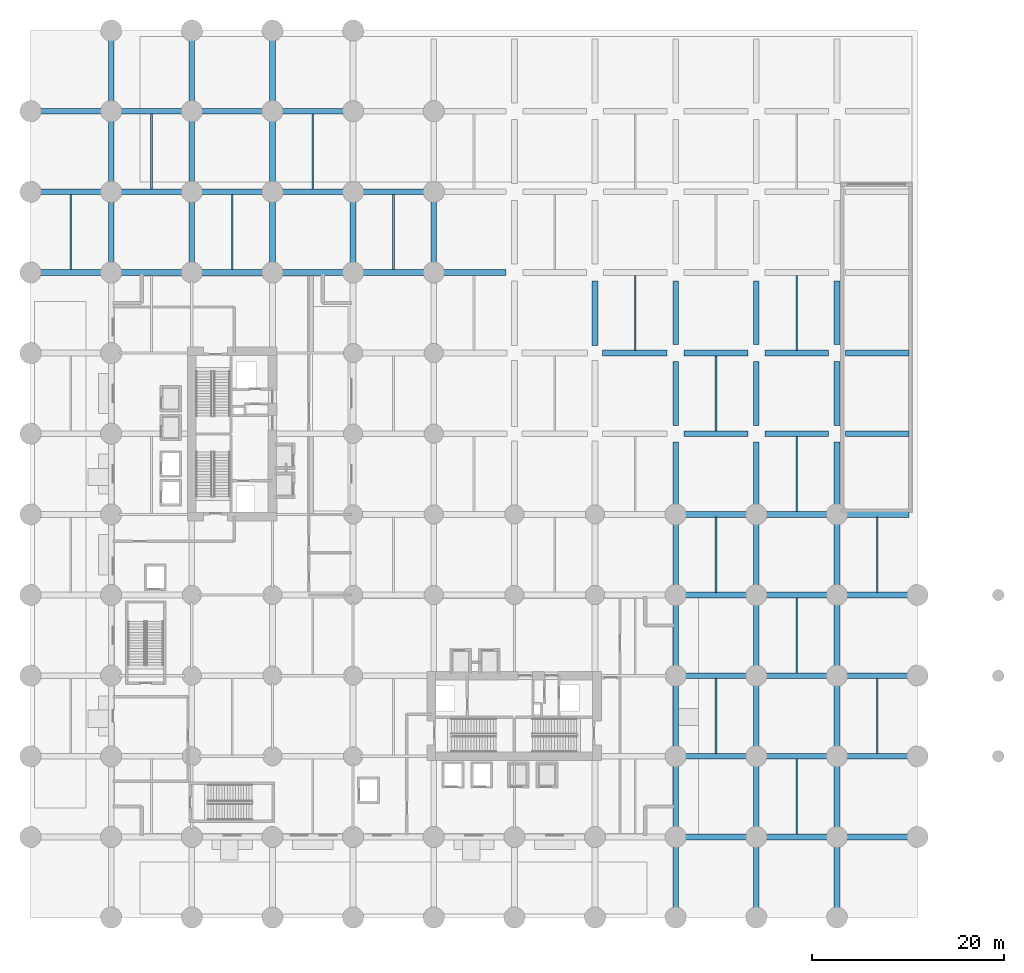
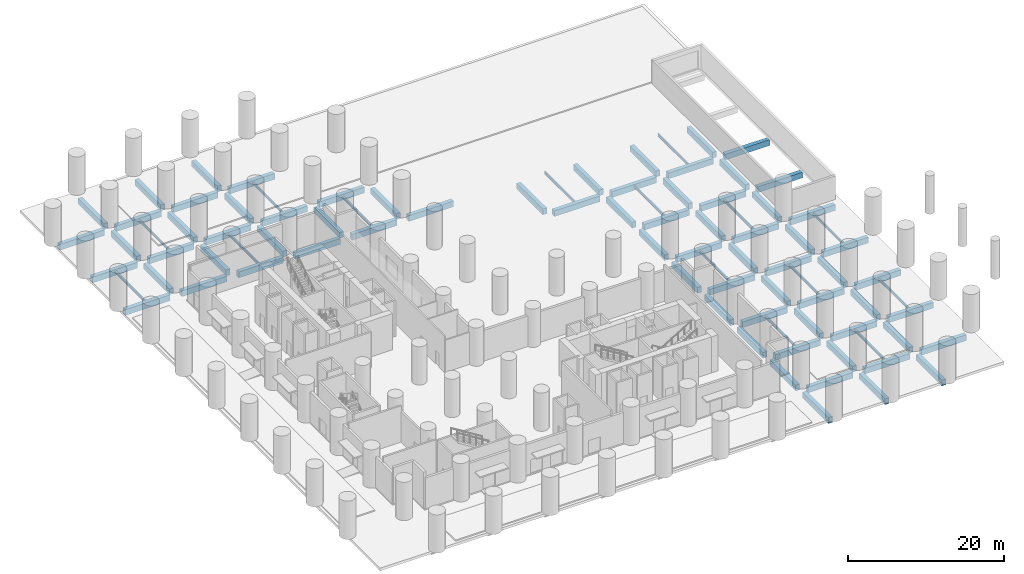
# One storey, part 3 of 13: 88 beams.
"""IFC4 building model written with IfcOpenShell, lengths in metres."""

from ifc_helpers import new_model, si_unit, direction, frame, origin, origin_2d, place, context, subcontext, project, spatial, rectangle, i_section, extrude, material, material_profile, profile_set, type_object, element, save


model = new_model("IFC4")

# Units and contexts
model_context = context("Model", 3, precision=1e-05, world=origin(), true_north=direction((0.0, 1.0)))
body_context = subcontext(model_context, "Body", "Model", "MODEL_VIEW")
ifc_project = project(units=[si_unit("LENGTHUNIT", "METRE"), si_unit("AREAUNIT", "SQUARE_METRE"), si_unit("VOLUMEUNIT", "CUBIC_METRE"), si_unit("PLANEANGLEUNIT", "RADIAN"), si_unit("MASSUNIT", "GRAM", prefix="KILO")], contexts=[model_context])

# Site, building, storey
site_placement = place(None, origin())
site = spatial("IfcSite", under=ifc_project, at=site_placement, CompositionType="ELEMENT")
building_placement = place(site_placement, origin())
building = spatial("IfcBuilding", under=site, at=building_placement, Name="Koriwani Terraces Tower", CompositionType="ELEMENT")
storey_placement = place(building_placement, origin())
storey = spatial("IfcBuildingStorey", under=building, at=storey_placement, Name="L00", CompositionType="ELEMENT", Elevation=0.0)

# Beams
ifc_material_1 = material(Name="Concrete C60/75", Category="concrete")
ifc_material_profile_1 = material_profile(ifc_material_1, rectangle(XDim=0.60009765625, YDim=0.89990234375, at=origin_2d()), Name="Concrete C60/75", Category="LoadBearing")
ifc_profile_set_1 = profile_set([ifc_material_profile_1], Name="Concrete C60/75")
beam_type_1 = type_object("IfcBeamType", Name="BEAM_RC_SPANDREL_600X900", PredefinedType="SPANDREL", material=ifc_profile_set_1)
beam_1_placement = place(storey_placement, frame((68.080078125, 8.39990234375, -1.030029296875), z_axis=(1.0, 0.0, 0.0), x_axis=(0.0, 1.0, 0.0)))
element("IfcBeam", 1, at=beam_1_placement, inside=storey, type_object=beam_type_1, Name="L00 Spandrel Beam B (67.2-75.6m)", PredefinedType="SPANDREL", context=body_context, shape_type="SweptSolid", body=[
    extrude(rectangle(XDim=0.60009765625, YDim=0.89990234375, at=origin_2d()), origin(), (0.0, 0.0, 1.0), 6.639892578125),
])
for number, where, z_axis, x_axis, name in (
    (2, (76.47998046875, 8.39990234375, -1.030029296875), (1.0, 0.0, 0.0), (0.0, 1.0, 0.0), "L00 Spandrel Beam B (75.6-84.0m)"),
    (3, (84.8798828125, 8.39990234375, -1.030029296875), (1.0, 0.0, 0.0), (0.0, 1.0, 0.0), "L00 Spandrel Beam B (84.0-92.4m)"),
):
    element("IfcBeam", number, at=place(storey_placement, frame(where, z_axis=z_axis, x_axis=x_axis)), inside=storey, type_object=beam_type_1, Name=name, PredefinedType="SPANDREL", context=body_context, shape_type="SweptSolid", body=[
        extrude(rectangle(XDim=0.60009765625, YDim=0.89990234375, at=origin_2d()), origin(), (0.0, 0.0, 1.0), 6.64013671875),
    ])
beam_2_placement = place(storey_placement, frame((68.080078125, 16.800048828125, -1.030029296875), z_axis=(1.0, 0.0, 0.0), x_axis=(0.0, 1.0, 0.0)))
element("IfcBeam", 4, at=beam_2_placement, inside=storey, type_object=beam_type_1, Name="L00 Spandrel Beam C (67.2-75.6m)", PredefinedType="SPANDREL", context=body_context, shape_type="SweptSolid", body=[
    extrude(rectangle(XDim=0.60009765625, YDim=0.89990234375, at=origin_2d()), origin(), (0.0, 0.0, 1.0), 6.639892578125),
])
for number, where, z_axis, x_axis, name in (
    (5, (76.47998046875, 16.800048828125, -1.030029296875), (1.0, 0.0, 0.0), (0.0, 1.0, 0.0), "L00 Spandrel Beam C (75.6-84.0m)"),
    (6, (84.8798828125, 16.800048828125, -1.030029296875), (1.0, 0.0, 0.0), (0.0, 1.0, 0.0), "L00 Spandrel Beam C (84.0-92.4m)"),
):
    element("IfcBeam", number, at=place(storey_placement, frame(where, z_axis=z_axis, x_axis=x_axis)), inside=storey, type_object=beam_type_1, Name=name, PredefinedType="SPANDREL", context=body_context, shape_type="SweptSolid", body=[
        extrude(rectangle(XDim=0.60009765625, YDim=0.89990234375, at=origin_2d()), origin(), (0.0, 0.0, 1.0), 6.64013671875),
    ])
beam_3_placement = place(storey_placement, frame((68.080078125, 25.199951171875, -1.030029296875), z_axis=(1.0, 0.0, 0.0), x_axis=(0.0, 1.0, 0.0)))
element("IfcBeam", 7, at=beam_3_placement, inside=storey, type_object=beam_type_1, Name="L00 Spandrel Beam D (67.2-75.6m)", PredefinedType="SPANDREL", context=body_context, shape_type="SweptSolid", body=[
    extrude(rectangle(XDim=0.60009765625, YDim=0.89990234375, at=origin_2d()), origin(), (0.0, 0.0, 1.0), 6.639892578125),
])
for number, where, z_axis, x_axis, name in (
    (8, (76.47998046875, 25.199951171875, -1.030029296875), (1.0, 0.0, 0.0), (0.0, 1.0, 0.0), "L00 Spandrel Beam D (75.6-84.0m)"),
    (9, (84.8798828125, 25.199951171875, -1.030029296875), (1.0, 0.0, 0.0), (0.0, 1.0, 0.0), "L00 Spandrel Beam D (84.0-92.4m)"),
):
    element("IfcBeam", number, at=place(storey_placement, frame(where, z_axis=z_axis, x_axis=x_axis)), inside=storey, type_object=beam_type_1, Name=name, PredefinedType="SPANDREL", context=body_context, shape_type="SweptSolid", body=[
        extrude(rectangle(XDim=0.60009765625, YDim=0.89990234375, at=origin_2d()), origin(), (0.0, 0.0, 1.0), 6.64013671875),
    ])
beam_4_placement = place(storey_placement, frame((68.080078125, 33.60009765625, -1.030029296875), z_axis=(1.0, 0.0, 0.0), x_axis=(0.0, 1.0, 0.0)))
element("IfcBeam", 10, at=beam_4_placement, inside=storey, type_object=beam_type_1, Name="L00 Spandrel Beam E (67.2-75.6m)", PredefinedType="SPANDREL", context=body_context, shape_type="SweptSolid", body=[
    extrude(rectangle(XDim=0.60009765625, YDim=0.89990234375, at=origin_2d()), origin(), (0.0, 0.0, 1.0), 6.639892578125),
])
for number, where, z_axis, x_axis, name in (
    (11, (76.47998046875, 33.60009765625, -1.030029296875), (1.0, 0.0, 0.0), (0.0, 1.0, 0.0), "L00 Spandrel Beam E (75.6-84.0m)"),
    (12, (84.8798828125, 33.60009765625, -1.030029296875), (1.0, 0.0, 0.0), (0.0, 1.0, 0.0), "L00 Spandrel Beam E (84.0-92.4m)"),
):
    element("IfcBeam", number, at=place(storey_placement, frame(where, z_axis=z_axis, x_axis=x_axis)), inside=storey, type_object=beam_type_1, Name=name, PredefinedType="SPANDREL", context=body_context, shape_type="SweptSolid", body=[
        extrude(rectangle(XDim=0.60009765625, YDim=0.89990234375, at=origin_2d()), origin(), (0.0, 0.0, 1.0), 6.64013671875),
    ])
beam_5_placement = place(storey_placement, frame((68.080078125, 42.0, -1.030029296875), z_axis=(1.0, 0.0, 0.0), x_axis=(0.0, 1.0, 0.0)))
element("IfcBeam", 13, at=beam_5_placement, inside=storey, type_object=beam_type_1, Name="L00 Spandrel Beam F (67.2-75.6m)", PredefinedType="SPANDREL", context=body_context, shape_type="SweptSolid", body=[
    extrude(rectangle(XDim=0.60009765625, YDim=0.89990234375, at=origin_2d()), origin(), (0.0, 0.0, 1.0), 6.639892578125),
])
for number, where, z_axis, x_axis, name in (
    (14, (76.47998046875, 42.0, -1.030029296875), (1.0, 0.0, 0.0), (0.0, 1.0, 0.0), "L00 Spandrel Beam F (75.6-84.0m)"),
    (15, (84.8798828125, 42.0, -1.030029296875), (1.0, 0.0, 0.0), (0.0, 1.0, 0.0), "L00 Spandrel Beam F (84.0-92.4m)"),
):
    element("IfcBeam", number, at=place(storey_placement, frame(where, z_axis=z_axis, x_axis=x_axis)), inside=storey, type_object=beam_type_1, Name=name, PredefinedType="SPANDREL", context=body_context, shape_type="SweptSolid", body=[
        extrude(rectangle(XDim=0.60009765625, YDim=0.89990234375, at=origin_2d()), origin(), (0.0, 0.0, 1.0), 6.64013671875),
    ])
beam_6_placement = place(storey_placement, frame((68.080078125, 50.39990234375, -1.030029296875), z_axis=(1.0, 0.0, 0.0), x_axis=(0.0, 1.0, 0.0)))
element("IfcBeam", 16, at=beam_6_placement, inside=storey, type_object=beam_type_1, Name="L00 Spandrel Beam G (67.2-75.6m)", PredefinedType="SPANDREL", context=body_context, shape_type="SweptSolid", body=[
    extrude(rectangle(XDim=0.60009765625, YDim=0.89990234375, at=origin_2d()), origin(), (0.0, 0.0, 1.0), 6.639892578125),
])
for number, where, z_axis, x_axis, name in (
    (17, (76.47998046875, 50.39990234375, -1.030029296875), (1.0, 0.0, 0.0), (0.0, 1.0, 0.0), "L00 Spandrel Beam G (75.6-84.0m)"),
    (18, (84.8798828125, 50.39990234375, -1.030029296875), (1.0, 0.0, 0.0), (0.0, 1.0, 0.0), "L00 Spandrel Beam G (84.0-92.4m)"),
):
    element("IfcBeam", number, at=place(storey_placement, frame(where, z_axis=z_axis, x_axis=x_axis)), inside=storey, type_object=beam_type_1, Name=name, PredefinedType="SPANDREL", context=body_context, shape_type="SweptSolid", body=[
        extrude(rectangle(XDim=0.60009765625, YDim=0.89990234375, at=origin_2d()), origin(), (0.0, 0.0, 1.0), 6.64013671875),
    ])
beam_7_placement = place(storey_placement, frame((59.580078125, 58.800048828125, -1.030029296875), z_axis=(1.0, 0.0, 0.0), x_axis=(0.0, 1.0, 0.0)))
element("IfcBeam", 19, at=beam_7_placement, inside=storey, type_object=beam_type_1, Name="L00 Spandrel Beam H (58.8-67.2m)", PredefinedType="SPANDREL", context=body_context, shape_type="SweptSolid", body=[
    extrude(rectangle(XDim=0.60009765625, YDim=0.89990234375, at=origin_2d()), origin(), (0.0, 0.0, 1.0), 6.739990234375),
])
beam_8_placement = place(storey_placement, frame((68.080078125, 58.800048828125, -1.030029296875), z_axis=(1.0, 0.0, 0.0), x_axis=(0.0, 1.0, 0.0)))
element("IfcBeam", 20, at=beam_8_placement, inside=storey, type_object=beam_type_1, Name="L00 Spandrel Beam H (67.2-75.6m)", PredefinedType="SPANDREL", context=body_context, shape_type="SweptSolid", body=[
    extrude(rectangle(XDim=0.60009765625, YDim=0.89990234375, at=origin_2d()), origin(), (0.0, 0.0, 1.0), 6.639892578125),
])
for number, where, z_axis, x_axis, name in (
    (21, (76.47998046875, 58.800048828125, -1.030029296875), (1.0, 0.0, 0.0), (0.0, 1.0, 0.0), "L00 Spandrel Beam H (75.6-84.0m)"),
    (22, (84.8798828125, 58.800048828125, -1.030029296875), (1.0, 0.0, 0.0), (0.0, 1.0, 0.0), "L00 Spandrel Beam H (84.0-92.4m)"),
    (23, (0.8798828125, 67.199951171875, -1.030029296875), (1.0, 0.0, 0.0), (0.0, 1.0, 0.0), "L00 Spandrel Beam I (0.0-8.4m)"),
):
    element("IfcBeam", number, at=place(storey_placement, frame(where, z_axis=z_axis, x_axis=x_axis)), inside=storey, type_object=beam_type_1, Name=name, PredefinedType="SPANDREL", context=body_context, shape_type="SweptSolid", body=[
        extrude(rectangle(XDim=0.60009765625, YDim=0.89990234375, at=origin_2d()), origin(), (0.0, 0.0, 1.0), 6.64013671875),
    ])
beam_9_placement = place(storey_placement, frame((9.280029296875, 67.199951171875, -1.030029296875), z_axis=(1.0, 0.0, 0.0), x_axis=(0.0, 1.0, 0.0)))
element("IfcBeam", 24, at=beam_9_placement, inside=storey, type_object=beam_type_1, Name="L00 Spandrel Beam I (8.4-16.8m)", PredefinedType="SPANDREL", context=body_context, shape_type="SweptSolid", body=[
    extrude(rectangle(XDim=0.60009765625, YDim=0.89990234375, at=origin_2d()), origin(), (0.0, 0.0, 1.0), 6.639892578125),
])
beam_10_placement = place(storey_placement, frame((17.679931640625, 67.199951171875, -1.030029296875), z_axis=(1.0, 0.0, 0.0), x_axis=(0.0, 1.0, 0.0)))
element("IfcBeam", 25, at=beam_10_placement, inside=storey, type_object=beam_type_1, Name="L00 Spandrel Beam I (16.8-25.2m)", PredefinedType="SPANDREL", context=body_context, shape_type="SweptSolid", body=[
    extrude(rectangle(XDim=0.60009765625, YDim=0.89990234375, at=origin_2d()), origin(), (0.0, 0.0, 1.0), 6.64013671875),
])
beam_11_placement = place(storey_placement, frame((26.080078125, 67.199951171875, -1.030029296875), z_axis=(1.0, 0.0, 0.0), x_axis=(0.0, 1.0, 0.0)))
element("IfcBeam", 26, at=beam_11_placement, inside=storey, type_object=beam_type_1, Name="L00 Spandrel Beam I (25.2-33.6m)", PredefinedType="SPANDREL", context=body_context, shape_type="SweptSolid", body=[
    extrude(rectangle(XDim=0.60009765625, YDim=0.89990234375, at=origin_2d()), origin(), (0.0, 0.0, 1.0), 6.639892578125),
])
for number, where, z_axis, x_axis, name in (
    (27, (34.47998046875, 67.199951171875, -1.030029296875), (1.0, 0.0, 0.0), (0.0, 1.0, 0.0), "L00 Spandrel Beam I (33.6-42.0m)"),
    (28, (42.8798828125, 67.199951171875, -1.030029296875), (1.0, 0.0, 0.0), (0.0, 1.0, 0.0), "L00 Spandrel Beam I (42.0-50.4m)"),
    (29, (0.8798828125, 75.60009765625, -1.030029296875), (1.0, 0.0, 0.0), (0.0, 1.0, 0.0), "L00 Spandrel Beam J (0.0-8.4m)"),
):
    element("IfcBeam", number, at=place(storey_placement, frame(where, z_axis=z_axis, x_axis=x_axis)), inside=storey, type_object=beam_type_1, Name=name, PredefinedType="SPANDREL", context=body_context, shape_type="SweptSolid", body=[
        extrude(rectangle(XDim=0.60009765625, YDim=0.89990234375, at=origin_2d()), origin(), (0.0, 0.0, 1.0), 6.64013671875),
    ])
beam_12_placement = place(storey_placement, frame((9.280029296875, 75.60009765625, -1.030029296875), z_axis=(1.0, 0.0, 0.0), x_axis=(0.0, 1.0, 0.0)))
element("IfcBeam", 30, at=beam_12_placement, inside=storey, type_object=beam_type_1, Name="L00 Spandrel Beam J (8.4-16.8m)", PredefinedType="SPANDREL", context=body_context, shape_type="SweptSolid", body=[
    extrude(rectangle(XDim=0.60009765625, YDim=0.89990234375, at=origin_2d()), origin(), (0.0, 0.0, 1.0), 6.639892578125),
])
beam_13_placement = place(storey_placement, frame((17.679931640625, 75.60009765625, -1.030029296875), z_axis=(1.0, 0.0, 0.0), x_axis=(0.0, 1.0, 0.0)))
element("IfcBeam", 31, at=beam_13_placement, inside=storey, type_object=beam_type_1, Name="L00 Spandrel Beam J (16.8-25.2m)", PredefinedType="SPANDREL", context=body_context, shape_type="SweptSolid", body=[
    extrude(rectangle(XDim=0.60009765625, YDim=0.89990234375, at=origin_2d()), origin(), (0.0, 0.0, 1.0), 6.64013671875),
])
beam_14_placement = place(storey_placement, frame((26.080078125, 75.60009765625, -1.030029296875), z_axis=(1.0, 0.0, 0.0), x_axis=(0.0, 1.0, 0.0)))
element("IfcBeam", 32, at=beam_14_placement, inside=storey, type_object=beam_type_1, Name="L00 Spandrel Beam J (25.2-33.6m)", PredefinedType="SPANDREL", context=body_context, shape_type="SweptSolid", body=[
    extrude(rectangle(XDim=0.60009765625, YDim=0.89990234375, at=origin_2d()), origin(), (0.0, 0.0, 1.0), 6.639892578125),
])
for number, where, z_axis, x_axis, name in (
    (33, (34.47998046875, 75.60009765625, -1.030029296875), (1.0, 0.0, 0.0), (0.0, 1.0, 0.0), "L00 Spandrel Beam J (33.6-42.0m)"),
    (34, (0.8798828125, 84.0, -1.030029296875), (1.0, 0.0, 0.0), (0.0, 1.0, 0.0), "L00 Spandrel Beam K (0.0-8.4m)"),
):
    element("IfcBeam", number, at=place(storey_placement, frame(where, z_axis=z_axis, x_axis=x_axis)), inside=storey, type_object=beam_type_1, Name=name, PredefinedType="SPANDREL", context=body_context, shape_type="SweptSolid", body=[
        extrude(rectangle(XDim=0.60009765625, YDim=0.89990234375, at=origin_2d()), origin(), (0.0, 0.0, 1.0), 6.64013671875),
    ])
beam_15_placement = place(storey_placement, frame((9.280029296875, 84.0, -1.030029296875), z_axis=(1.0, 0.0, 0.0), x_axis=(0.0, 1.0, 0.0)))
element("IfcBeam", 35, at=beam_15_placement, inside=storey, type_object=beam_type_1, Name="L00 Spandrel Beam K (8.4-16.8m)", PredefinedType="SPANDREL", context=body_context, shape_type="SweptSolid", body=[
    extrude(rectangle(XDim=0.60009765625, YDim=0.89990234375, at=origin_2d()), origin(), (0.0, 0.0, 1.0), 6.639892578125),
])
beam_16_placement = place(storey_placement, frame((17.679931640625, 84.0, -1.030029296875), z_axis=(1.0, 0.0, 0.0), x_axis=(0.0, 1.0, 0.0)))
element("IfcBeam", 36, at=beam_16_placement, inside=storey, type_object=beam_type_1, Name="L00 Spandrel Beam K (16.8-25.2m)", PredefinedType="SPANDREL", context=body_context, shape_type="SweptSolid", body=[
    extrude(rectangle(XDim=0.60009765625, YDim=0.89990234375, at=origin_2d()), origin(), (0.0, 0.0, 1.0), 6.64013671875),
])
for number, where, z_axis, x_axis, name in (
    (37, (26.080078125, 84.0, -1.030029296875), (1.0, 0.0, 0.0), (0.0, 1.0, 0.0), "L00 Spandrel Beam K (25.2-33.6m)"),
    (38, (8.39990234375, 68.080078125, -1.030029296875), (0.0, 1.0, 0.0), (-1.0, 0.0, 0.0), "L00 Spandrel Beam 2 (67.2-75.6m)"),
):
    element("IfcBeam", number, at=place(storey_placement, frame(where, z_axis=z_axis, x_axis=x_axis)), inside=storey, type_object=beam_type_1, Name=name, PredefinedType="SPANDREL", context=body_context, shape_type="SweptSolid", body=[
        extrude(rectangle(XDim=0.60009765625, YDim=0.89990234375, at=origin_2d()), origin(), (0.0, 0.0, 1.0), 6.639892578125),
    ])
for number, where, z_axis, x_axis, name in (
    (39, (8.39990234375, 76.47998046875, -1.030029296875), (0.0, 1.0, 0.0), (-1.0, 0.0, 0.0), "L00 Spandrel Beam 2 (75.6-84.0m)"),
    (40, (8.39990234375, 84.8798828125, -1.030029296875), (0.0, 1.0, 0.0), (-1.0, 0.0, 0.0), "L00 Spandrel Beam 2 (84.0-92.4m)"),
):
    element("IfcBeam", number, at=place(storey_placement, frame(where, z_axis=z_axis, x_axis=x_axis)), inside=storey, type_object=beam_type_1, Name=name, PredefinedType="SPANDREL", context=body_context, shape_type="SweptSolid", body=[
        extrude(rectangle(XDim=0.60009765625, YDim=0.89990234375, at=origin_2d()), origin(), (0.0, 0.0, 1.0), 6.64013671875),
    ])
beam_17_placement = place(storey_placement, frame((16.800048828125, 68.080078125, -1.030029296875), z_axis=(0.0, 1.0, 0.0), x_axis=(-1.0, 0.0, 0.0)))
element("IfcBeam", 41, at=beam_17_placement, inside=storey, type_object=beam_type_1, Name="L00 Spandrel Beam 3 (67.2-75.6m)", PredefinedType="SPANDREL", context=body_context, shape_type="SweptSolid", body=[
    extrude(rectangle(XDim=0.60009765625, YDim=0.89990234375, at=origin_2d()), origin(), (0.0, 0.0, 1.0), 6.639892578125),
])
for number, where, z_axis, x_axis, name in (
    (42, (16.800048828125, 76.47998046875, -1.030029296875), (0.0, 1.0, 0.0), (-1.0, 0.0, 0.0), "L00 Spandrel Beam 3 (75.6-84.0m)"),
    (43, (16.800048828125, 84.8798828125, -1.030029296875), (0.0, 1.0, 0.0), (-1.0, 0.0, 0.0), "L00 Spandrel Beam 3 (84.0-92.4m)"),
):
    element("IfcBeam", number, at=place(storey_placement, frame(where, z_axis=z_axis, x_axis=x_axis)), inside=storey, type_object=beam_type_1, Name=name, PredefinedType="SPANDREL", context=body_context, shape_type="SweptSolid", body=[
        extrude(rectangle(XDim=0.60009765625, YDim=0.89990234375, at=origin_2d()), origin(), (0.0, 0.0, 1.0), 6.64013671875),
    ])
beam_18_placement = place(storey_placement, frame((25.199951171875, 68.080078125, -1.030029296875), z_axis=(0.0, 1.0, 0.0), x_axis=(-1.0, 0.0, 0.0)))
element("IfcBeam", 44, at=beam_18_placement, inside=storey, type_object=beam_type_1, Name="L00 Spandrel Beam 4 (67.2-75.6m)", PredefinedType="SPANDREL", context=body_context, shape_type="SweptSolid", body=[
    extrude(rectangle(XDim=0.60009765625, YDim=0.89990234375, at=origin_2d()), origin(), (0.0, 0.0, 1.0), 6.639892578125),
])
for number, where, z_axis, x_axis, name in (
    (45, (25.199951171875, 76.47998046875, -1.030029296875), (0.0, 1.0, 0.0), (-1.0, 0.0, 0.0), "L00 Spandrel Beam 4 (75.6-84.0m)"),
    (46, (25.199951171875, 84.8798828125, -1.030029296875), (0.0, 1.0, 0.0), (-1.0, 0.0, 0.0), "L00 Spandrel Beam 4 (84.0-92.4m)"),
):
    element("IfcBeam", number, at=place(storey_placement, frame(where, z_axis=z_axis, x_axis=x_axis)), inside=storey, type_object=beam_type_1, Name=name, PredefinedType="SPANDREL", context=body_context, shape_type="SweptSolid", body=[
        extrude(rectangle(XDim=0.60009765625, YDim=0.89990234375, at=origin_2d()), origin(), (0.0, 0.0, 1.0), 6.64013671875),
    ])
for number, where, z_axis, x_axis, name in (
    (47, (33.60009765625, 68.080078125, -1.030029296875), (0.0, 1.0, 0.0), (-1.0, 0.0, 0.0), "L00 Spandrel Beam 5 (67.2-75.6m)"),
    (48, (42.0, 68.080078125, -1.030029296875), (0.0, 1.0, 0.0), (-1.0, 0.0, 0.0), "L00 Spandrel Beam 6 (67.2-75.6m)"),
):
    element("IfcBeam", number, at=place(storey_placement, frame(where, z_axis=z_axis, x_axis=x_axis)), inside=storey, type_object=beam_type_1, Name=name, PredefinedType="SPANDREL", context=body_context, shape_type="SweptSolid", body=[
        extrude(rectangle(XDim=0.60009765625, YDim=0.89990234375, at=origin_2d()), origin(), (0.0, 0.0, 1.0), 6.639892578125),
    ])
beam_19_placement = place(storey_placement, frame((58.800048828125, 59.580078125, -1.030029296875), z_axis=(0.0, 1.0, 0.0), x_axis=(-1.0, 0.0, 0.0)))
element("IfcBeam", 49, at=beam_19_placement, inside=storey, type_object=beam_type_1, Name="L00 Spandrel Beam 8 (58.8-67.2m)", PredefinedType="SPANDREL", context=body_context, shape_type="SweptSolid", body=[
    extrude(rectangle(XDim=0.60009765625, YDim=0.89990234375, at=origin_2d()), origin(), (0.0, 0.0, 1.0), 6.739990234375),
])
beam_20_placement = place(storey_placement, frame((67.199951171875, 0.8798828125, -1.030029296875), z_axis=(0.0, 1.0, 0.0), x_axis=(-1.0, 0.0, 0.0)))
element("IfcBeam", 50, at=beam_20_placement, inside=storey, type_object=beam_type_1, Name="L00 Spandrel Beam 9 (0.0-8.4m)", PredefinedType="SPANDREL", context=body_context, shape_type="SweptSolid", body=[
    extrude(rectangle(XDim=0.60009765625, YDim=0.89990234375, at=origin_2d()), origin(), (0.0, 0.0, 1.0), 6.64013671875),
])
beam_21_placement = place(storey_placement, frame((67.199951171875, 9.280029296875, -1.030029296875), z_axis=(0.0, 1.0, 0.0), x_axis=(-1.0, 0.0, 0.0)))
element("IfcBeam", 51, at=beam_21_placement, inside=storey, type_object=beam_type_1, Name="L00 Spandrel Beam 9 (8.4-16.8m)", PredefinedType="SPANDREL", context=body_context, shape_type="SweptSolid", body=[
    extrude(rectangle(XDim=0.60009765625, YDim=0.89990234375, at=origin_2d()), origin(), (0.0, 0.0, 1.0), 6.639892578125),
])
beam_22_placement = place(storey_placement, frame((67.199951171875, 17.679931640625, -1.030029296875), z_axis=(0.0, 1.0, 0.0), x_axis=(-1.0, 0.0, 0.0)))
element("IfcBeam", 52, at=beam_22_placement, inside=storey, type_object=beam_type_1, Name="L00 Spandrel Beam 9 (16.8-25.2m)", PredefinedType="SPANDREL", context=body_context, shape_type="SweptSolid", body=[
    extrude(rectangle(XDim=0.60009765625, YDim=0.89990234375, at=origin_2d()), origin(), (0.0, 0.0, 1.0), 6.64013671875),
])
beam_23_placement = place(storey_placement, frame((67.199951171875, 26.080078125, -1.030029296875), z_axis=(0.0, 1.0, 0.0), x_axis=(-1.0, 0.0, 0.0)))
element("IfcBeam", 53, at=beam_23_placement, inside=storey, type_object=beam_type_1, Name="L00 Spandrel Beam 9 (25.2-33.6m)", PredefinedType="SPANDREL", context=body_context, shape_type="SweptSolid", body=[
    extrude(rectangle(XDim=0.60009765625, YDim=0.89990234375, at=origin_2d()), origin(), (0.0, 0.0, 1.0), 6.639892578125),
])
for number, where, z_axis, x_axis, name in (
    (54, (67.199951171875, 34.47998046875, -1.030029296875), (0.0, 1.0, 0.0), (-1.0, 0.0, 0.0), "L00 Spandrel Beam 9 (33.6-42.0m)"),
    (55, (67.199951171875, 42.8798828125, -1.030029296875), (0.0, 1.0, 0.0), (-1.0, 0.0, 0.0), "L00 Spandrel Beam 9 (42.0-50.4m)"),
):
    element("IfcBeam", number, at=place(storey_placement, frame(where, z_axis=z_axis, x_axis=x_axis)), inside=storey, type_object=beam_type_1, Name=name, PredefinedType="SPANDREL", context=body_context, shape_type="SweptSolid", body=[
        extrude(rectangle(XDim=0.60009765625, YDim=0.89990234375, at=origin_2d()), origin(), (0.0, 0.0, 1.0), 6.64013671875),
    ])
beam_24_placement = place(storey_placement, frame((67.199951171875, 51.280029296875, -1.030029296875), z_axis=(0.0, 1.0, 0.0), x_axis=(-1.0, 0.0, 0.0)))
element("IfcBeam", 56, at=beam_24_placement, inside=storey, type_object=beam_type_1, Name="L00 Spandrel Beam 9 (50.4-58.8m)", PredefinedType="SPANDREL", context=body_context, shape_type="SweptSolid", body=[
    extrude(rectangle(XDim=0.60009765625, YDim=0.89990234375, at=origin_2d()), origin(), (0.0, 0.0, 1.0), 6.639892578125),
])
for number, where, z_axis, x_axis, name in (
    (57, (67.199951171875, 59.679931640625, -1.030029296875), (0.0, 1.0, 0.0), (-1.0, 0.0, 0.0), "L00 Spandrel Beam 9 (58.8-67.2m)"),
    (58, (75.60009765625, 0.8798828125, -1.030029296875), (0.0, 1.0, 0.0), (-1.0, 0.0, 0.0), "L00 Spandrel Beam 10 (0.0-8.4m)"),
):
    element("IfcBeam", number, at=place(storey_placement, frame(where, z_axis=z_axis, x_axis=x_axis)), inside=storey, type_object=beam_type_1, Name=name, PredefinedType="SPANDREL", context=body_context, shape_type="SweptSolid", body=[
        extrude(rectangle(XDim=0.60009765625, YDim=0.89990234375, at=origin_2d()), origin(), (0.0, 0.0, 1.0), 6.64013671875),
    ])
beam_25_placement = place(storey_placement, frame((75.60009765625, 9.280029296875, -1.030029296875), z_axis=(0.0, 1.0, 0.0), x_axis=(-1.0, 0.0, 0.0)))
element("IfcBeam", 59, at=beam_25_placement, inside=storey, type_object=beam_type_1, Name="L00 Spandrel Beam 10 (8.4-16.8m)", PredefinedType="SPANDREL", context=body_context, shape_type="SweptSolid", body=[
    extrude(rectangle(XDim=0.60009765625, YDim=0.89990234375, at=origin_2d()), origin(), (0.0, 0.0, 1.0), 6.639892578125),
])
beam_26_placement = place(storey_placement, frame((75.60009765625, 17.679931640625, -1.030029296875), z_axis=(0.0, 1.0, 0.0), x_axis=(-1.0, 0.0, 0.0)))
element("IfcBeam", 60, at=beam_26_placement, inside=storey, type_object=beam_type_1, Name="L00 Spandrel Beam 10 (16.8-25.2m)", PredefinedType="SPANDREL", context=body_context, shape_type="SweptSolid", body=[
    extrude(rectangle(XDim=0.60009765625, YDim=0.89990234375, at=origin_2d()), origin(), (0.0, 0.0, 1.0), 6.64013671875),
])
beam_27_placement = place(storey_placement, frame((75.60009765625, 26.080078125, -1.030029296875), z_axis=(0.0, 1.0, 0.0), x_axis=(-1.0, 0.0, 0.0)))
element("IfcBeam", 61, at=beam_27_placement, inside=storey, type_object=beam_type_1, Name="L00 Spandrel Beam 10 (25.2-33.6m)", PredefinedType="SPANDREL", context=body_context, shape_type="SweptSolid", body=[
    extrude(rectangle(XDim=0.60009765625, YDim=0.89990234375, at=origin_2d()), origin(), (0.0, 0.0, 1.0), 6.639892578125),
])
for number, where, z_axis, x_axis, name in (
    (62, (75.60009765625, 34.47998046875, -1.030029296875), (0.0, 1.0, 0.0), (-1.0, 0.0, 0.0), "L00 Spandrel Beam 10 (33.6-42.0m)"),
    (63, (75.60009765625, 42.8798828125, -1.030029296875), (0.0, 1.0, 0.0), (-1.0, 0.0, 0.0), "L00 Spandrel Beam 10 (42.0-50.4m)"),
):
    element("IfcBeam", number, at=place(storey_placement, frame(where, z_axis=z_axis, x_axis=x_axis)), inside=storey, type_object=beam_type_1, Name=name, PredefinedType="SPANDREL", context=body_context, shape_type="SweptSolid", body=[
        extrude(rectangle(XDim=0.60009765625, YDim=0.89990234375, at=origin_2d()), origin(), (0.0, 0.0, 1.0), 6.64013671875),
    ])
beam_28_placement = place(storey_placement, frame((75.60009765625, 51.280029296875, -1.030029296875), z_axis=(0.0, 1.0, 0.0), x_axis=(-1.0, 0.0, 0.0)))
element("IfcBeam", 64, at=beam_28_placement, inside=storey, type_object=beam_type_1, Name="L00 Spandrel Beam 10 (50.4-58.8m)", PredefinedType="SPANDREL", context=body_context, shape_type="SweptSolid", body=[
    extrude(rectangle(XDim=0.60009765625, YDim=0.89990234375, at=origin_2d()), origin(), (0.0, 0.0, 1.0), 6.639892578125),
])
for number, where, z_axis, x_axis, name in (
    (65, (75.60009765625, 59.679931640625, -1.030029296875), (0.0, 1.0, 0.0), (-1.0, 0.0, 0.0), "L00 Spandrel Beam 10 (58.8-67.2m)"),
    (66, (84.0, 0.8798828125, -1.030029296875), (0.0, 1.0, 0.0), (-1.0, 0.0, 0.0), "L00 Spandrel Beam 11 (0.0-8.4m)"),
):
    element("IfcBeam", number, at=place(storey_placement, frame(where, z_axis=z_axis, x_axis=x_axis)), inside=storey, type_object=beam_type_1, Name=name, PredefinedType="SPANDREL", context=body_context, shape_type="SweptSolid", body=[
        extrude(rectangle(XDim=0.60009765625, YDim=0.89990234375, at=origin_2d()), origin(), (0.0, 0.0, 1.0), 6.64013671875),
    ])
beam_29_placement = place(storey_placement, frame((84.0, 9.280029296875, -1.030029296875), z_axis=(0.0, 1.0, 0.0), x_axis=(-1.0, 0.0, 0.0)))
element("IfcBeam", 67, at=beam_29_placement, inside=storey, type_object=beam_type_1, Name="L00 Spandrel Beam 11 (8.4-16.8m)", PredefinedType="SPANDREL", context=body_context, shape_type="SweptSolid", body=[
    extrude(rectangle(XDim=0.60009765625, YDim=0.89990234375, at=origin_2d()), origin(), (0.0, 0.0, 1.0), 6.639892578125),
])
beam_30_placement = place(storey_placement, frame((84.0, 17.679931640625, -1.030029296875), z_axis=(0.0, 1.0, 0.0), x_axis=(-1.0, 0.0, 0.0)))
element("IfcBeam", 68, at=beam_30_placement, inside=storey, type_object=beam_type_1, Name="L00 Spandrel Beam 11 (16.8-25.2m)", PredefinedType="SPANDREL", context=body_context, shape_type="SweptSolid", body=[
    extrude(rectangle(XDim=0.60009765625, YDim=0.89990234375, at=origin_2d()), origin(), (0.0, 0.0, 1.0), 6.64013671875),
])
beam_31_placement = place(storey_placement, frame((84.0, 26.080078125, -1.030029296875), z_axis=(0.0, 1.0, 0.0), x_axis=(-1.0, 0.0, 0.0)))
element("IfcBeam", 69, at=beam_31_placement, inside=storey, type_object=beam_type_1, Name="L00 Spandrel Beam 11 (25.2-33.6m)", PredefinedType="SPANDREL", context=body_context, shape_type="SweptSolid", body=[
    extrude(rectangle(XDim=0.60009765625, YDim=0.89990234375, at=origin_2d()), origin(), (0.0, 0.0, 1.0), 6.639892578125),
])
for number, where, z_axis, x_axis, name in (
    (70, (84.0, 34.47998046875, -1.030029296875), (0.0, 1.0, 0.0), (-1.0, 0.0, 0.0), "L00 Spandrel Beam 11 (33.6-42.0m)"),
    (71, (84.0, 42.8798828125, -1.030029296875), (0.0, 1.0, 0.0), (-1.0, 0.0, 0.0), "L00 Spandrel Beam 11 (42.0-50.4m)"),
):
    element("IfcBeam", number, at=place(storey_placement, frame(where, z_axis=z_axis, x_axis=x_axis)), inside=storey, type_object=beam_type_1, Name=name, PredefinedType="SPANDREL", context=body_context, shape_type="SweptSolid", body=[
        extrude(rectangle(XDim=0.60009765625, YDim=0.89990234375, at=origin_2d()), origin(), (0.0, 0.0, 1.0), 6.64013671875),
    ])
beam_32_placement = place(storey_placement, frame((84.0, 51.280029296875, -1.030029296875), z_axis=(0.0, 1.0, 0.0), x_axis=(-1.0, 0.0, 0.0)))
element("IfcBeam", 72, at=beam_32_placement, inside=storey, type_object=beam_type_1, Name="L00 Spandrel Beam 11 (50.4-58.8m)", PredefinedType="SPANDREL", context=body_context, shape_type="SweptSolid", body=[
    extrude(rectangle(XDim=0.60009765625, YDim=0.89990234375, at=origin_2d()), origin(), (0.0, 0.0, 1.0), 6.639892578125),
])
beam_33_placement = place(storey_placement, frame((84.0, 59.679931640625, -1.030029296875), z_axis=(0.0, 1.0, 0.0), x_axis=(-1.0, 0.0, 0.0)))
element("IfcBeam", 73, at=beam_33_placement, inside=storey, type_object=beam_type_1, Name="L00 Spandrel Beam 11 (58.8-67.2m)", PredefinedType="SPANDREL", context=body_context, shape_type="SweptSolid", body=[
    extrude(rectangle(XDim=0.60009765625, YDim=0.89990234375, at=origin_2d()), origin(), (0.0, 0.0, 1.0), 6.64013671875),
])
ifc_material_2 = material(Name="Steel ASTM A572 Grade 50", Category="steel")
ifc_material_profile_2 = material_profile(ifc_material_2, i_section(OverallWidth=0.180908203125, OverallDepth=0.4169921875, WebThickness=0.010986328125, FlangeThickness=0.018310546875, at=origin_2d()), Name="Steel ASTM A572 Grade 50", Category="LoadBearing")
ifc_profile_set_2 = profile_set([ifc_material_profile_2], Name="Steel ASTM A572 Grade 50")
beam_type_2 = type_object("IfcBeamType", Name="STEEL_BEAM_W410X85", PredefinedType="JOIST", material=ifc_profile_set_2)
for number, where, z_axis, x_axis, name in (
    (74, (4.199951171875, 67.489990234375, -0.78857421875), (0.0, 1.0, 0.0), (-1.0, 0.0, 0.0), "L00 Secondary Steel Floor Joist X=4.2m"),
    (75, (12.60009765625, 75.889892578125, -0.78857421875), (0.0, 1.0, 0.0), (-1.0, 0.0, 0.0), "L00 Secondary Steel Floor Joist X=12.6m"),
    (76, (21.0, 67.489990234375, -0.78857421875), (0.0, 1.0, 0.0), (-1.0, 0.0, 0.0), "L00 Secondary Steel Floor Joist X=21.0m"),
    (77, (29.39990234375, 75.889892578125, -0.78857421875), (0.0, 1.0, 0.0), (-1.0, 0.0, 0.0), "L00 Secondary Steel Floor Joist X=29.4m"),
    (78, (37.800048828125, 67.489990234375, -0.78857421875), (0.0, 1.0, 0.0), (-1.0, 0.0, 0.0), "L00 Secondary Steel Floor Joist X=37.8m"),
):
    element("IfcBeam", number, at=place(storey_placement, frame(where, z_axis=z_axis, x_axis=x_axis)), inside=storey, type_object=beam_type_2, Name=name, PredefinedType="JOIST", context=body_context, shape_type="SweptSolid", body=[
        extrude(i_section(OverallWidth=0.180908203125, OverallDepth=0.4169921875, WebThickness=0.010986328125, FlangeThickness=0.018310546875, at=origin_2d()), origin(), (0.0, 0.0, 1.0), 7.820068359375),
    ])
for number, where, z_axis, x_axis, name in (
    (79, (63.0, 59.090087890625, -0.78857421875), (0.0, 1.0, 0.0), (-1.0, 0.0, 0.0), "L00 Secondary Steel Floor Joist X=63.0m"),
    (80, (71.39990234375, 17.090087890625, -0.78857421875), (0.0, 1.0, 0.0), (-1.0, 0.0, 0.0), "L00 Secondary Steel Floor Joist X=71.4m"),
):
    element("IfcBeam", number, at=place(storey_placement, frame(where, z_axis=z_axis, x_axis=x_axis)), inside=storey, type_object=beam_type_2, Name=name, PredefinedType="JOIST", context=body_context, shape_type="SweptSolid", body=[
        extrude(i_section(OverallWidth=0.180908203125, OverallDepth=0.4169921875, WebThickness=0.010986328125, FlangeThickness=0.018310546875, at=origin_2d()), origin(), (0.0, 0.0, 1.0), 7.81982421875),
    ])
for number, where, z_axis, x_axis, name in (
    (81, (71.39990234375, 33.889892578125, -0.78857421875), (0.0, 1.0, 0.0), (-1.0, 0.0, 0.0), "L00 Secondary Steel Floor Joist X=71.4m"),
    (82, (71.39990234375, 50.68994140625, -0.78857421875), (0.0, 1.0, 0.0), (-1.0, 0.0, 0.0), "L00 Secondary Steel Floor Joist X=71.4m"),
    (83, (79.800048828125, 8.68994140625, -0.78857421875), (0.0, 1.0, 0.0), (-1.0, 0.0, 0.0), "L00 Secondary Steel Floor Joist X=79.8m"),
    (84, (79.800048828125, 25.489990234375, -0.78857421875), (0.0, 1.0, 0.0), (-1.0, 0.0, 0.0), "L00 Secondary Steel Floor Joist X=79.8m"),
    (85, (79.800048828125, 42.2900390625, -0.78857421875), (0.0, 1.0, 0.0), (-1.0, 0.0, 0.0), "L00 Secondary Steel Floor Joist X=79.8m"),
):
    element("IfcBeam", number, at=place(storey_placement, frame(where, z_axis=z_axis, x_axis=x_axis)), inside=storey, type_object=beam_type_2, Name=name, PredefinedType="JOIST", context=body_context, shape_type="SweptSolid", body=[
        extrude(i_section(OverallWidth=0.180908203125, OverallDepth=0.4169921875, WebThickness=0.010986328125, FlangeThickness=0.018310546875, at=origin_2d()), origin(), (0.0, 0.0, 1.0), 7.820068359375),
    ])
for number, where, z_axis, x_axis, name in (
    (86, (79.800048828125, 59.090087890625, -0.78857421875), (0.0, 1.0, 0.0), (-1.0, 0.0, 0.0), "L00 Secondary Steel Floor Joist X=79.8m"),
    (87, (88.199951171875, 17.090087890625, -0.78857421875), (0.0, 1.0, 0.0), (-1.0, 0.0, 0.0), "L00 Secondary Steel Floor Joist X=88.2m"),
):
    element("IfcBeam", number, at=place(storey_placement, frame(where, z_axis=z_axis, x_axis=x_axis)), inside=storey, type_object=beam_type_2, Name=name, PredefinedType="JOIST", context=body_context, shape_type="SweptSolid", body=[
        extrude(i_section(OverallWidth=0.180908203125, OverallDepth=0.4169921875, WebThickness=0.010986328125, FlangeThickness=0.018310546875, at=origin_2d()), origin(), (0.0, 0.0, 1.0), 7.81982421875),
    ])
beam_34_placement = place(storey_placement, frame((88.199951171875, 33.889892578125, -0.78857421875), z_axis=(0.0, 1.0, 0.0), x_axis=(-1.0, 0.0, 0.0)))
element("IfcBeam", 88, at=beam_34_placement, inside=storey, type_object=beam_type_2, Name="L00 Secondary Steel Floor Joist X=88.2m", PredefinedType="JOIST", context=body_context, shape_type="SweptSolid", body=[
    extrude(i_section(OverallWidth=0.180908203125, OverallDepth=0.4169921875, WebThickness=0.010986328125, FlangeThickness=0.018310546875, at=origin_2d()), origin(), (0.0, 0.0, 1.0), 7.820068359375),
])

save(model, "model.ifc")
